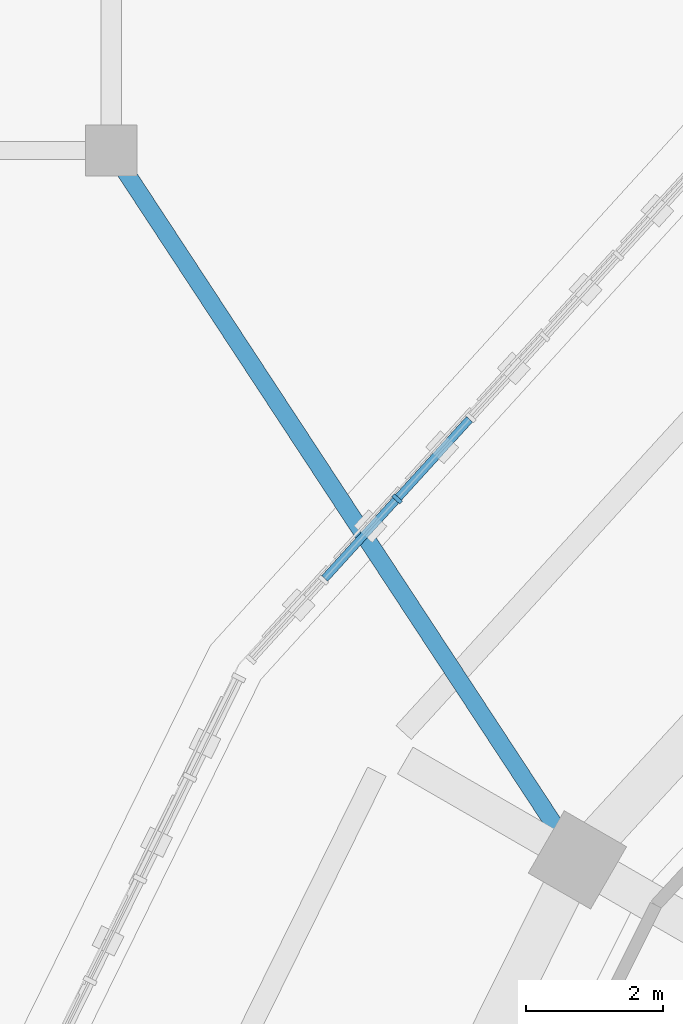
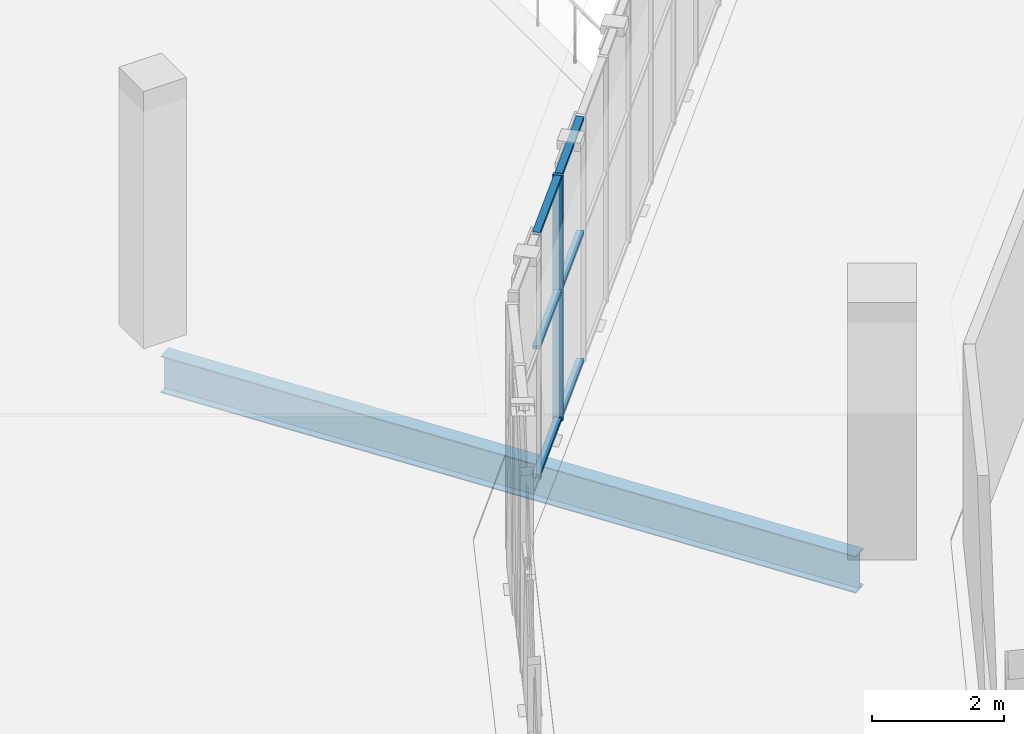
# One storey, part 43 of 152: 7 members, 1 beam, 1 element without a shape of its own.
"""IFC4 building model written with IfcOpenShell, lengths in metres."""

from ifc_helpers import new_model, si_unit, direction, frame, origin, origin_2d, place, context, subcontext, project, spatial, rectangle, i_section, extrude, material, material_profile, profile_set, type_object, element, aggregate, save


model = new_model("IFC4")

# Units and contexts
model_context = context("Model", 3, precision=1e-05, world=origin(), true_north=direction((0.0, 1.0)))
body_context = subcontext(model_context, "Body", "Model", "MODEL_VIEW")
ifc_project = project(units=[si_unit("LENGTHUNIT", "METRE"), si_unit("AREAUNIT", "SQUARE_METRE"), si_unit("VOLUMEUNIT", "CUBIC_METRE"), si_unit("PLANEANGLEUNIT", "RADIAN"), si_unit("MASSUNIT", "GRAM", prefix="KILO")], contexts=[model_context])

# Site, building, storey
site_placement = place(None, origin())
site = spatial("IfcSite", under=ifc_project, at=site_placement, CompositionType="ELEMENT")
building_placement = place(site_placement, origin())
building = spatial("IfcBuilding", under=site, at=building_placement, Name="Zevraka Park Crest Stadium", CompositionType="ELEMENT")
storey_placement = place(building_placement, frame((0.0, 0.0, 15.0)))
storey = spatial("IfcBuildingStorey", under=building, at=storey_placement, Name="L03", CompositionType="ELEMENT", Elevation=15.0)

# Beam
ifc_material_1 = material(Name="Steel S355", Category="steel")
ifc_material_profile_1 = material_profile(ifc_material_1, i_section(OverallWidth=0.253662109375, OverallDepth=0.68359375, WebThickness=0.012451171875, FlangeThickness=0.01904296875, at=origin_2d()), Name="UKB 686x254x140")
ifc_profile_set_1 = profile_set([ifc_material_profile_1], Name="Steel S355")
beam_type = type_object("IfcBeamType", Name="BG05", PredefinedType="BEAM", material=ifc_profile_set_1)
beam_placement = place(storey_placement, frame((27.110107421875, 139.8330078125, -0.649658203125), z_axis=(0.548958685994, -0.835849484699, 0.0), x_axis=(0.835849484699, 0.548958685994, 0.0)))
element("IfcBeam", 1, at=beam_placement, inside=storey, type_object=beam_type, Name="Wing Link Girder BG05 L03-4/R", PredefinedType="BEAM", context=body_context, shape_type="SweptSolid", body=[
    extrude(i_section(OverallWidth=0.253662109375, OverallDepth=0.68359375, WebThickness=0.012451171875, FlangeThickness=0.01904296875, at=origin_2d()), origin(), (0.0, 0.0, 1.0), 11.80224609375),
])

# Curtain wall, members
ifc_material_2 = material(Name="Anodised architectural aluminium and laminated safety glass", Category="aluminium")
curtain_wall_type = type_object("IfcCurtainWallType", Name="CW13", PredefinedType="NOTDEFINED", material=ifc_material_2)
curtain_wall_placement = place(storey_placement, origin())
curtain_wall = element("IfcCurtainWall", 2, at=curtain_wall_placement, inside=storey, type_object=curtain_wall_type, Name="Unitised Ring Curtain Wall CW13 L03-09", PredefinedType="NOTDEFINED")
ifc_material_3 = material(Name="Anodised architectural aluminium", Category="aluminium")
ifc_material_profile_2 = material_profile(ifc_material_3, rectangle(XDim=0.159912109375, YDim=0.06005859375, at=origin_2d()), Name="ALU MULLION 160x60")
ifc_profile_set_2 = profile_set([ifc_material_profile_2], Name="Anodised architectural aluminium")
member_type_1 = type_object("IfcMemberType", Name="CM01", PredefinedType="MULLION", material=ifc_profile_set_2)
member_1_placement = place(storey_placement, frame((31.16748046875, 134.9169921875, 0.0), z_axis=(0.0, 0.0, 1.0), x_axis=(0.739822878481, -0.672801685845, 0.0)))
member_1 = element("IfcMember", 3, at=member_1_placement, type_object=member_type_1, Name="CW13 mullion 13", PredefinedType="MULLION", context=body_context, shape_type="SweptSolid", body=[
    extrude(rectangle(XDim=0.159912109375, YDim=0.06005859375, at=origin_2d()), origin(), (0.0, 0.0, 1.0), 4.5400390625),
])
ifc_material_4 = material(Name="Anodised architectural aluminium", Category="aluminium")
ifc_material_profile_3 = material_profile(ifc_material_4, rectangle(XDim=0.1201171875, YDim=0.06005859375, at=origin_2d()), Name="ALU TRANSOM 120x60")
ifc_profile_set_3 = profile_set([ifc_material_profile_3], Name="Anodised architectural aluminium")
member_type_2 = type_object("IfcMemberType", Name="CT01", PredefinedType="USERDEFINED", material=ifc_profile_set_3)
member_2_placement = place(storey_placement, frame((32.2236328125, 136.078369140625, 0.030029296875), z_axis=(-0.672775385986, -0.739846794959, 0.0), x_axis=(0.739846794959, -0.672775385986, 0.0)))
member_2 = element("IfcMember", 4, at=member_2_placement, type_object=member_type_2, Name="CW13 transom 12.1", ObjectType="TRANSOM", PredefinedType="USERDEFINED", context=body_context, shape_type="SweptSolid", body=[
    extrude(rectangle(XDim=0.1201171875, YDim=0.06005859375, at=origin_2d()), origin(), (0.0, 0.0, 1.0), 1.539794921875),
])
member_3_placement = place(storey_placement, frame((32.2236328125, 136.078369140625, 2.39990234375), z_axis=(-0.672775385986, -0.739846794959, 0.0), x_axis=(0.739846794959, -0.672775385986, 0.0)))
member_3 = element("IfcMember", 5, at=member_3_placement, type_object=member_type_2, Name="CW13 transom 12.2", ObjectType="TRANSOM", PredefinedType="USERDEFINED", context=body_context, shape_type="SweptSolid", body=[
    extrude(rectangle(XDim=0.1201171875, YDim=0.06005859375, at=origin_2d()), origin(), (0.0, 0.0, 1.0), 1.539794921875),
])
member_4_placement = place(storey_placement, frame((32.2236328125, 136.078369140625, 4.510009765625), z_axis=(-0.672775385986, -0.739846794959, 0.0), x_axis=(0.739846794959, -0.672775385986, 0.0)))
member_4 = element("IfcMember", 6, at=member_4_placement, type_object=member_type_2, Name="CW13 transom 12.3", ObjectType="TRANSOM", PredefinedType="USERDEFINED", context=body_context, shape_type="SweptSolid", body=[
    extrude(rectangle(XDim=0.1201171875, YDim=0.06005859375, at=origin_2d()), origin(), (0.0, 0.0, 1.0), 1.539794921875),
])
member_5_placement = place(storey_placement, frame((31.1474609375, 134.894775390625, 0.030029296875), z_axis=(-0.672775385986, -0.739846794959, 0.0), x_axis=(0.739846794959, -0.672775385986, 0.0)))
member_5 = element("IfcMember", 7, at=member_5_placement, type_object=member_type_2, Name="CW13 transom 13.1", ObjectType="TRANSOM", PredefinedType="USERDEFINED", context=body_context, shape_type="SweptSolid", body=[
    extrude(rectangle(XDim=0.1201171875, YDim=0.06005859375, at=origin_2d()), origin(), (0.0, 0.0, 1.0), 1.539794921875),
])
member_6_placement = place(storey_placement, frame((31.1474609375, 134.894775390625, 2.39990234375), z_axis=(-0.672775385986, -0.739846794959, 0.0), x_axis=(0.739846794959, -0.672775385986, 0.0)))
member_6 = element("IfcMember", 8, at=member_6_placement, type_object=member_type_2, Name="CW13 transom 13.2", ObjectType="TRANSOM", PredefinedType="USERDEFINED", context=body_context, shape_type="SweptSolid", body=[
    extrude(rectangle(XDim=0.1201171875, YDim=0.06005859375, at=origin_2d()), origin(), (0.0, 0.0, 1.0), 1.539794921875),
])
member_7_placement = place(storey_placement, frame((31.1474609375, 134.894775390625, 4.510009765625), z_axis=(-0.672775385986, -0.739846794959, 0.0), x_axis=(0.739846794959, -0.672775385986, 0.0)))
member_7 = element("IfcMember", 9, at=member_7_placement, type_object=member_type_2, Name="CW13 transom 13.3", ObjectType="TRANSOM", PredefinedType="USERDEFINED", context=body_context, shape_type="SweptSolid", body=[
    extrude(rectangle(XDim=0.1201171875, YDim=0.06005859375, at=origin_2d()), origin(), (0.0, 0.0, 1.0), 1.539794921875),
])
aggregate(curtain_wall, [member_1, member_2, member_3, member_4, member_5, member_6, member_7])

save(model, "model.ifc")
